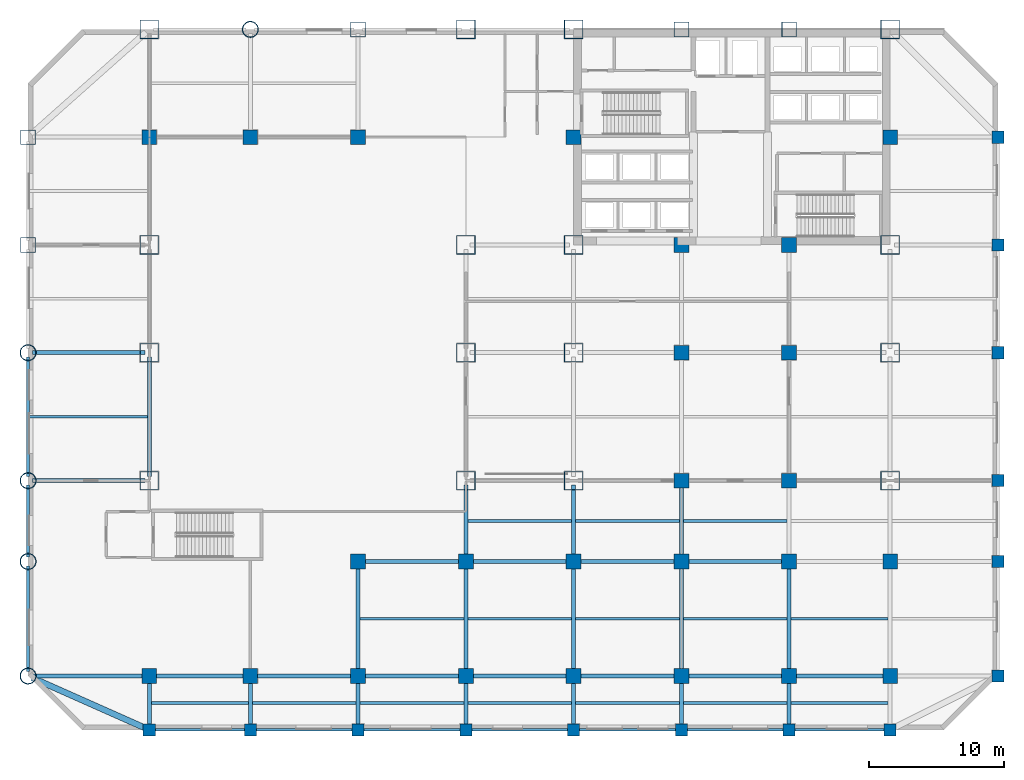
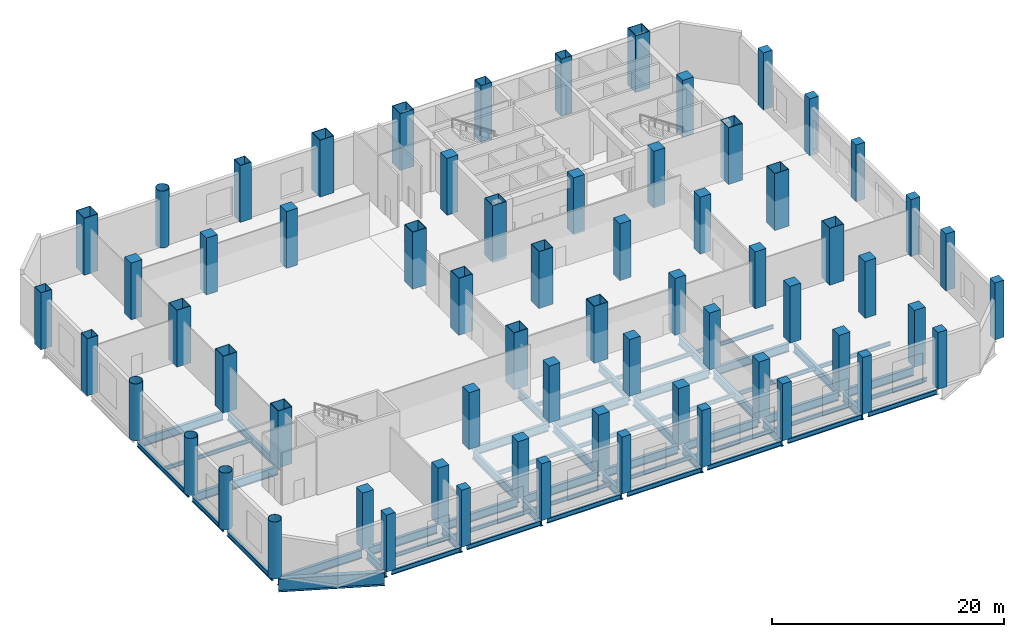
# One storey, part 1 of 11: 65 columns, 57 beams.
"""IFC4 building model written with IfcOpenShell, lengths in metres."""

import ifcopenshell
import ifcopenshell.guid

model = None  # the IFC model being written
_history = None  # IfcOwnerHistory: only IFC2X3 demands one
_inside = {}  # id of a spatial element -> (the spatial element, [elements in it])
_under = {}  # id of a project, library or spatial element -> (it, [spatial elements below it])
_declared = {}  # id of a project -> (the project, [libraries it declares])
_typed = {}  # id of a type object -> (the type object, [elements of that type])
_made_of = {}  # id of a material, layer set ... -> (it, [elements and type objects made of it])


def new_model(schema):
    """Start an empty IFC model of exactly this schema.

    Asked for "IFC4X3", IfcOpenShell would pick the latest addendum, in which some entities
    have other attributes; the version numbers below select the first issue.
    IFC2X3 requires an IfcOwnerHistory on every rooted entity: one is made here for all.
    """
    global model, _history
    if schema == "IFC4X3":
        model = ifcopenshell.file(schema_version=(4, 3, 0, 0))
    else:
        model = ifcopenshell.file(schema=schema)
    _inside.clear()
    _under.clear()
    _declared.clear()
    _typed.clear()
    _made_of.clear()
    _history = None
    if model.schema == "IFC2X3":
        org = make("IfcOrganization", Name="unknown")
        user = make(
            "IfcPersonAndOrganization",
            ThePerson=make("IfcPerson", FamilyName="unknown"),
            TheOrganization=org,
        )
        app = make(
            "IfcApplication",
            ApplicationDeveloper=org,
            Version="unknown",
            ApplicationFullName="unknown",
            ApplicationIdentifier="unknown",
        )
        _history = make(
            "IfcOwnerHistory",
            OwningUser=user,
            OwningApplication=app,
            ChangeAction="ADDED",
            CreationDate=0,
        )
    return model


def make(cls, **values):
    """One entity of the class cls with the attributes given. An attribute that is None is left unset."""
    return model.create_entity(
        cls, **{name: value for name, value in values.items() if value is not None}
    )


def rooted(cls, **values):
    """An entity with a GlobalId (a new one), such as an element, a storey or a relation."""
    return make(cls, GlobalId=ifcopenshell.guid.new(), OwnerHistory=_history, **values)


def si_unit(unit_type, name, prefix=None):
    """IfcSIUnit, for example si_unit("LENGTHUNIT", "METRE", prefix="MILLI")."""
    return make("IfcSIUnit", UnitType=unit_type, Prefix=prefix, Name=name)


def assignment(units):
    """IfcUnitAssignment: the units of a project."""
    return None if units is None else make("IfcUnitAssignment", Units=units)


def point(xyz):
    """IfcCartesianPoint."""
    return None if xyz is None else make("IfcCartesianPoint", Coordinates=xyz)


def direction(xyz):
    """IfcDirection."""
    return None if xyz is None else make("IfcDirection", DirectionRatios=xyz)


def frame(location, z_axis=None, x_axis=None):
    """IfcAxis2Placement3D, a coordinate frame: its origin and axes. An axis left out is left unset."""
    return make(
        "IfcAxis2Placement3D",
        Location=point(location),
        Axis=direction(z_axis),
        RefDirection=direction(x_axis),
    )


def frame_2d(location, x_axis=None):
    """IfcAxis2Placement2D, a coordinate frame in the plane: its origin and x axis."""
    return make(
        "IfcAxis2Placement2D", Location=point(location), RefDirection=direction(x_axis)
    )


def origin():
    """The frame at (0, 0, 0) with its axes left unset."""
    return frame((0.0, 0.0, 0.0))


def origin_2d():
    """The frame at (0, 0) in the plane with its x axis left unset."""
    return frame_2d((0.0, 0.0))


def place(relative_to, where):
    """IfcLocalPlacement: puts the frame where relative to a parent placement (None: the world)."""
    return make(
        "IfcLocalPlacement", PlacementRelTo=relative_to, RelativePlacement=where
    )


def context(
    kind, dimensions, precision=None, world=None, true_north=None, identifier=None
):
    """IfcGeometricRepresentationContext, for example the 3D "Model" context."""
    return make(
        "IfcGeometricRepresentationContext",
        ContextIdentifier=identifier,
        ContextType=kind,
        CoordinateSpaceDimension=dimensions,
        Precision=precision,
        WorldCoordinateSystem=world,
        TrueNorth=true_north,
    )


def subcontext(parent, identifier, kind, view, scale=None):
    """IfcGeometricRepresentationSubContext, for example "Body" below "Model"."""
    return make(
        "IfcGeometricRepresentationSubContext",
        ContextIdentifier=identifier,
        ContextType=kind,
        ParentContext=parent,
        TargetScale=scale,
        TargetView=view,
    )


def project(units=None, contexts=None):
    """IfcProject with its units and contexts."""
    return rooted(
        "IfcProject",
        Name="project",
        RepresentationContexts=contexts,
        UnitsInContext=assignment(units),
    )


def spatial(cls, under=None, at=None, **own):
    """A site, building, storey or space (cls), placed at a placement, below another one or the project."""
    s = rooted(cls, ObjectPlacement=at, **own)
    if under is not None:
        _under.setdefault(under.id(), (under, []))[1].append(s)
    return s


def profile(cls, at=None, kind="AREA", **sizes):
    """A parametric profile (cls). Its sizes go by their IFC names, for example OverallWidth=200.0."""
    return make(cls, ProfileType=kind, Position=at, **sizes)


def rectangle(**sizes):
    """IfcRectangleProfileDef."""
    return profile("IfcRectangleProfileDef", **sizes)


def hollow_rectangle(**sizes):
    """IfcRectangleHollowProfileDef."""
    return profile("IfcRectangleHollowProfileDef", **sizes)


def hollow_circle(**sizes):
    """IfcCircleHollowProfileDef."""
    return profile("IfcCircleHollowProfileDef", **sizes)


def i_section(**sizes):
    """IfcIShapeProfileDef."""
    return profile("IfcIShapeProfileDef", **sizes)


def extrude(swept, where, along, depth):
    """IfcExtrudedAreaSolid: the profile swept, set in the frame where, extruded along a direction by depth."""
    return make(
        "IfcExtrudedAreaSolid",
        SweptArea=swept,
        Position=where,
        ExtrudedDirection=direction(along),
        Depth=depth,
    )


def shape(context_of_items, identifier, shape_type, items):
    """IfcShapeRepresentation: the items that make up one representation, for example the "Body"."""
    return make(
        "IfcShapeRepresentation",
        ContextOfItems=context_of_items,
        RepresentationIdentifier=identifier,
        RepresentationType=shape_type,
        Items=items,
    )


def material(Name=None, Category=None):
    """IfcMaterial."""
    return make("IfcMaterial", Name=Name, Category=Category)


def material_profile(
    of_material, cross_section, Name=None, Category=None, Priority=None
):
    """IfcMaterialProfile: a cross section and its material."""
    return make(
        "IfcMaterialProfile",
        Name=Name,
        Material=of_material,
        Profile=cross_section,
        Priority=Priority,
        Category=Category,
    )


def profile_set(profiles, Name=None, composite=None):
    """IfcMaterialProfileSet."""
    return make(
        "IfcMaterialProfileSet",
        Name=Name,
        MaterialProfiles=profiles,
        CompositeProfile=composite,
    )


def made_of(thing, what):
    """Note that an element or type object is made of a material, layer set ...; save() writes the relation."""
    if what is not None:
        _made_of.setdefault(what.id(), (what, []))[1].append(thing)
    return thing


def type_object(cls, material=None, **own):
    """A type object (cls), such as IfcWallType, which elements share."""
    return made_of(rooted(cls, **own), material)


def element(
    cls,
    number,
    at=None,
    inside=None,
    cuts=None,
    type_object=None,
    material=None,
    context=None,
    identifier="Body",
    shape_type=None,
    held_by="IfcProductDefinitionShape",
    body=None,
    shapes=None,
    **own,
):
    """One element of the class cls, such as IfcWall. Its Tag is "e" and its number.

    at: its placement. inside: the storey or other place that contains it. cuts: it is an
    opening in that element (IfcRelVoidsElement). A single representation is given by context,
    identifier, shape_type and body (its items); several are given by shapes. held_by: the class
    of the entity that holds the representations. save() writes the other relations.
    """
    e = rooted(cls, Tag="e%d" % number, ObjectPlacement=at, **own)
    if body is not None:
        shapes = [shape(context, identifier, shape_type, body)]
    if shapes is not None:
        e.Representation = make(held_by, Representations=shapes)
    if inside is not None:
        _inside.setdefault(inside.id(), (inside, []))[1].append(e)
    if cuts is not None:
        rooted(
            "IfcRelVoidsElement", RelatingBuildingElement=cuts, RelatedOpeningElement=e
        )
    if type_object is not None:
        _typed.setdefault(type_object.id(), (type_object, []))[1].append(e)
    return made_of(e, material)


def aggregate(whole, parts):
    """IfcRelAggregates: a whole, such as a stair, and the parts it consists of."""
    return rooted("IfcRelAggregates", RelatingObject=whole, RelatedObjects=parts)


def save(model, path):
    """Write the relations noted so far, then the file.

    IfcRelAggregates (storeys below a building ...), IfcRelContainedInSpatialStructure (elements
    in a storey), IfcRelDefinesByType, IfcRelAssociatesMaterial and IfcRelDeclares: one each for
    every whole, place, type object, material and project.
    """
    for whole, parts in _under.values():
        aggregate(whole, parts)
    for where, things in _inside.values():
        rooted(
            "IfcRelContainedInSpatialStructure",
            RelatedElements=things,
            RelatingStructure=where,
        )
    for kind, things in _typed.values():
        rooted("IfcRelDefinesByType", RelatedObjects=things, RelatingType=kind)
    for what, things in _made_of.values():
        rooted("IfcRelAssociatesMaterial", RelatedObjects=things, RelatingMaterial=what)
    for by, libraries in _declared.values():
        rooted("IfcRelDeclares", RelatingContext=by, RelatedDefinitions=libraries)
    model.write(path)


model = new_model("IFC4")

# Units and contexts
model_context = context("Model", 3, precision=1e-05, world=origin(), true_north=direction((0.0, 1.0)))
body_context = subcontext(model_context, "Body", "Model", "MODEL_VIEW")
ifc_project = project(units=[si_unit("LENGTHUNIT", "METRE"), si_unit("AREAUNIT", "SQUARE_METRE"), si_unit("VOLUMEUNIT", "CUBIC_METRE"), si_unit("PLANEANGLEUNIT", "RADIAN"), si_unit("MASSUNIT", "GRAM", prefix="KILO")], contexts=[model_context])

# Site, building, storey
site_placement = place(None, origin())
site = spatial("IfcSite", under=ifc_project, at=site_placement, CompositionType="ELEMENT")
building_placement = place(site_placement, origin())
building = spatial("IfcBuilding", under=site, at=building_placement, Name="Qianrong Seaharbour Tower", CompositionType="ELEMENT")
storey_placement = place(building_placement, frame((0.0, 0.0, 11.39990234375)))
storey = spatial("IfcBuildingStorey", under=building, at=storey_placement, Name="L03", CompositionType="ELEMENT", Elevation=11.39990234375)

# Columns
ifc_material_1 = material(Name="Structural steel SN490B", Category="steel")
ifc_material_profile_1 = material_profile(ifc_material_1, hollow_rectangle(XDim=1.39990234375, YDim=1.39990234375, WallThickness=0.050048828125, at=origin_2d()), Name="BOX1400x1400x50")
ifc_profile_set_1 = profile_set([ifc_material_profile_1], Name="Structural steel SN490B")
column_type_1 = type_object("IfcColumnType", Name="COL-CFT-1400", PredefinedType="COLUMN", material=ifc_profile_set_1)
for number, where, z_axis, x_axis, name in (
    (1, (9.0, 18.5, 0.0), (0.0, 0.0, 1.0), (1.0, 0.0, 0.0), "L03 Column MC-1 at G2/GD"),
    (2, (9.0, 28.0, 0.0), (0.0, 0.0, 1.0), (1.0, 0.0, 0.0), "L03 Column MC-1 at G2/GE"),
    (3, (9.0, 36.0, 0.0), (0.0, 0.0, 1.0), (1.0, 0.0, 0.0), "L03 Column MC-1 at G2/GF"),
    (4, (9.0, 52.0, 0.0), (0.0, 0.0, 1.0), (1.0, 0.0, 0.0), "L03 Column MC-1 at G2/GH"),
    (5, (32.5, 18.5, 0.0), (0.0, 0.0, 1.0), (1.0, 0.0, 0.0), "L03 Column MC-1 at G5/GD"),
    (6, (32.5, 28.0, 0.0), (0.0, 0.0, 1.0), (1.0, 0.0, 0.0), "L03 Column MC-1 at G5/GE"),
    (7, (32.5, 36.0, 0.0), (0.0, 0.0, 1.0), (1.0, 0.0, 0.0), "L03 Column MC-1 at G5/GF"),
    (8, (32.5, 52.0, 0.0), (0.0, 0.0, 1.0), (1.0, 0.0, 0.0), "L03 Column MC-1 at G5/GH"),
    (9, (40.5, 18.5, 0.0), (0.0, 0.0, 1.0), (1.0, 0.0, 0.0), "L03 Column MC-1 at G6/GD"),
    (10, (40.5, 28.0, 0.0), (0.0, 0.0, 1.0), (1.0, 0.0, 0.0), "L03 Column MC-1 at G6/GE"),
    (11, (40.5, 36.0, 0.0), (0.0, 0.0, 1.0), (1.0, 0.0, 0.0), "L03 Column MC-1 at G6/GF"),
    (12, (40.5, 52.0, 0.0), (0.0, 0.0, 1.0), (1.0, 0.0, 0.0), "L03 Column MC-1 at G6/GH"),
    (13, (64.0, 18.5, 0.0), (0.0, 0.0, 1.0), (1.0, 0.0, 0.0), "L03 Column MC-1 at G9/GD"),
    (14, (64.0, 28.0, 0.0), (0.0, 0.0, 1.0), (1.0, 0.0, 0.0), "L03 Column MC-1 at G9/GE"),
    (15, (64.0, 36.0, 0.0), (0.0, 0.0, 1.0), (1.0, 0.0, 0.0), "L03 Column MC-1 at G9/GF"),
    (16, (64.0, 52.0, 0.0), (0.0, 0.0, 1.0), (1.0, 0.0, 0.0), "L03 Column MC-1 at G9/GH"),
):
    element("IfcColumn", number, at=place(storey_placement, frame(where, z_axis=z_axis, x_axis=x_axis)), inside=storey, type_object=column_type_1, Name=name, PredefinedType="COLUMN", context=body_context, shape_type="SweptSolid", body=[
        extrude(hollow_rectangle(XDim=1.39990234375, YDim=1.39990234375, WallThickness=0.050048828125, at=origin_2d()), origin(), (0.0, 0.0, 1.0), 6.0),
    ])
ifc_material_profile_2 = material_profile(ifc_material_1, hollow_circle(Radius=0.60009765625, WallThickness=0.0400390625, at=origin_2d()), Name="CHS1200x40")
ifc_profile_set_2 = profile_set([ifc_material_profile_2], Name="Structural steel SN490B")
column_type_2 = type_object("IfcColumnType", Name="COL-CHS-1200", PredefinedType="COLUMN", material=ifc_profile_set_2)
for number, where, z_axis, x_axis, name in (
    (17, (0.0, 4.0, 0.0), (0.0, 0.0, 1.0), (1.0, 0.0, 0.0), "L03 Column CC-1 at G1/GB"),
    (18, (0.0, 12.5, 0.0), (0.0, 0.0, 1.0), (1.0, 0.0, 0.0), "L03 Column CC-1 at G1/GC"),
    (19, (0.0, 18.5, 0.0), (0.0, 0.0, 1.0), (1.0, 0.0, 0.0), "L03 Column CC-1 at G1/GD"),
    (20, (0.0, 28.0, 0.0), (0.0, 0.0, 1.0), (1.0, 0.0, 0.0), "L03 Column CC-1 at G1/GE"),
    (21, (16.5, 52.0, 0.0), (0.0, 0.0, 1.0), (1.0, 0.0, 0.0), "L03 Column CC-1 at G3/GH"),
):
    element("IfcColumn", number, at=place(storey_placement, frame(where, z_axis=z_axis, x_axis=x_axis)), inside=storey, type_object=column_type_2, Name=name, PredefinedType="COLUMN", context=body_context, shape_type="SweptSolid", body=[
        extrude(hollow_circle(Radius=0.60009765625, WallThickness=0.0400390625, at=origin_2d()), origin(), (0.0, 0.0, 1.0), 6.0),
    ])
ifc_material_2 = material(Name="Concrete C70/85", Category="concrete")
ifc_material_profile_3 = material_profile(ifc_material_2, rectangle(XDim=1.10009765625, YDim=1.10009765625, at=origin_2d()), Name="RC1100x1100")
ifc_profile_set_3 = profile_set([ifc_material_profile_3], Name="Concrete C70/85")
column_type_3 = type_object("IfcColumnType", Name="COL-INT-RC1100", PredefinedType="COLUMN", material=ifc_profile_set_3)
for number, where, z_axis, x_axis, name in (
    (22, (9.0, 4.0, 0.0), (0.0, 0.0, 1.0), (1.0, 0.0, 0.0), "L03 Column IC-1 at G2/GB"),
    (23, (9.0, 44.0, 0.0), (0.0, 0.0, 1.0), (1.0, 0.0, 0.0), "L03 Column IC-1 at G2/GG"),
    (24, (16.5, 4.0, 0.0), (0.0, 0.0, 1.0), (1.0, 0.0, 0.0), "L03 Column IC-1 at G3/GB"),
    (25, (16.5, 44.0, 0.0), (0.0, 0.0, 1.0), (1.0, 0.0, 0.0), "L03 Column IC-1 at G3/GG"),
    (26, (24.5, 4.0, 0.0), (0.0, 0.0, 1.0), (1.0, 0.0, 0.0), "L03 Column IC-1 at G4/GB"),
    (27, (24.5, 12.5, 0.0), (0.0, 0.0, 1.0), (1.0, 0.0, 0.0), "L03 Column IC-1 at G4/GC"),
    (28, (24.5, 44.0, 0.0), (0.0, 0.0, 1.0), (1.0, 0.0, 0.0), "L03 Column IC-1 at G4/GG"),
    (29, (32.5, 4.0, 0.0), (0.0, 0.0, 1.0), (1.0, 0.0, 0.0), "L03 Column IC-1 at G5/GB"),
    (30, (32.5, 12.5, 0.0), (0.0, 0.0, 1.0), (1.0, 0.0, 0.0), "L03 Column IC-1 at G5/GC"),
    (31, (40.5, 4.0, 0.0), (0.0, 0.0, 1.0), (1.0, 0.0, 0.0), "L03 Column IC-1 at G6/GB"),
    (32, (40.5, 12.5, 0.0), (0.0, 0.0, 1.0), (1.0, 0.0, 0.0), "L03 Column IC-1 at G6/GC"),
    (33, (40.5, 44.0, 0.0), (0.0, 0.0, 1.0), (1.0, 0.0, 0.0), "L03 Column IC-1 at G6/GG"),
    (34, (48.5, 4.0, 0.0), (0.0, 0.0, 1.0), (1.0, 0.0, 0.0), "L03 Column IC-1 at G7/GB"),
    (35, (48.5, 12.5, 0.0), (0.0, 0.0, 1.0), (1.0, 0.0, 0.0), "L03 Column IC-1 at G7/GC"),
    (36, (48.5, 18.5, 0.0), (0.0, 0.0, 1.0), (1.0, 0.0, 0.0), "L03 Column IC-1 at G7/GD"),
    (37, (48.5, 28.0, 0.0), (0.0, 0.0, 1.0), (1.0, 0.0, 0.0), "L03 Column IC-1 at G7/GE"),
    (38, (48.5, 36.0, 0.0), (0.0, 0.0, 1.0), (1.0, 0.0, 0.0), "L03 Column IC-1 at G7/GF"),
    (39, (56.5, 4.0, 0.0), (0.0, 0.0, 1.0), (1.0, 0.0, 0.0), "L03 Column IC-1 at G8/GB"),
    (40, (56.5, 12.5, 0.0), (0.0, 0.0, 1.0), (1.0, 0.0, 0.0), "L03 Column IC-1 at G8/GC"),
    (41, (56.5, 18.5, 0.0), (0.0, 0.0, 1.0), (1.0, 0.0, 0.0), "L03 Column IC-1 at G8/GD"),
    (42, (56.5, 28.0, 0.0), (0.0, 0.0, 1.0), (1.0, 0.0, 0.0), "L03 Column IC-1 at G8/GE"),
    (43, (56.5, 36.0, 0.0), (0.0, 0.0, 1.0), (1.0, 0.0, 0.0), "L03 Column IC-1 at G8/GF"),
    (44, (64.0, 4.0, 0.0), (0.0, 0.0, 1.0), (1.0, 0.0, 0.0), "L03 Column IC-1 at G9/GB"),
    (45, (64.0, 12.5, 0.0), (0.0, 0.0, 1.0), (1.0, 0.0, 0.0), "L03 Column IC-1 at G9/GC"),
    (46, (64.0, 44.0, 0.0), (0.0, 0.0, 1.0), (1.0, 0.0, 0.0), "L03 Column IC-1 at G9/GG"),
):
    element("IfcColumn", number, at=place(storey_placement, frame(where, z_axis=z_axis, x_axis=x_axis)), inside=storey, type_object=column_type_3, Name=name, PredefinedType="COLUMN", context=body_context, shape_type="SweptSolid", body=[
        extrude(rectangle(XDim=1.10009765625, YDim=1.10009765625, at=origin_2d()), origin(), (0.0, 0.0, 1.0), 6.0),
    ])
ifc_material_profile_4 = material_profile(ifc_material_1, hollow_rectangle(XDim=1.10009765625, YDim=1.10009765625, WallThickness=0.0400390625, at=origin_2d()), Name="BOX1100x1100x40")
ifc_profile_set_4 = profile_set([ifc_material_profile_4], Name="Structural steel SN490B")
column_type_4 = type_object("IfcColumnType", Name="COL-PER-1100", PredefinedType="COLUMN", material=ifc_profile_set_4)
for number, where, z_axis, x_axis, name in (
    (47, (0.0, 36.0, 0.0), (0.0, 0.0, 1.0), (1.0, 0.0, 0.0), "L03 Column PC-1 at G1/GF"),
    (48, (0.0, 44.0, 0.0), (0.0, 0.0, 1.0), (1.0, 0.0, 0.0), "L03 Column PC-1 at G1/GG"),
    (49, (24.5, 52.0, 0.0), (0.0, 0.0, 1.0), (1.0, 0.0, 0.0), "L03 Column PC-1 at G4/GH"),
    (50, (48.5, 52.0, 0.0), (0.0, 0.0, 1.0), (1.0, 0.0, 0.0), "L03 Column PC-1 at G7/GH"),
    (51, (56.5, 52.0, 0.0), (0.0, 0.0, 1.0), (1.0, 0.0, 0.0), "L03 Column PC-1 at G8/GH"),
):
    element("IfcColumn", number, at=place(storey_placement, frame(where, z_axis=z_axis, x_axis=x_axis)), inside=storey, type_object=column_type_4, Name=name, PredefinedType="COLUMN", context=body_context, shape_type="SweptSolid", body=[
        extrude(hollow_rectangle(XDim=1.10009765625, YDim=1.10009765625, WallThickness=0.0400390625, at=origin_2d()), origin(), (0.0, 0.0, 1.0), 6.0),
    ])
ifc_material_3 = material(Name="Concrete C60/75", Category="concrete")
ifc_material_profile_5 = material_profile(ifc_material_3, rectangle(XDim=0.89990234375, YDim=0.89990234375, at=origin_2d()), Name="RC900x900")
ifc_profile_set_5 = profile_set([ifc_material_profile_5], Name="Concrete C60/75")
column_type_5 = type_object("IfcColumnType", Name="COL-PIL-RC900", PredefinedType="PILASTER", material=ifc_profile_set_5)
for number, where, z_axis, x_axis, name in (
    (52, (9.0, 0.0, 0.0), (0.0, 0.0, 1.0), (1.0, 0.0, 0.0), "L03 Column CP-1 at G2/GA"),
    (53, (16.5, 0.0, 0.0), (0.0, 0.0, 1.0), (1.0, 0.0, 0.0), "L03 Column CP-1 at G3/GA"),
    (54, (24.5, 0.0, 0.0), (0.0, 0.0, 1.0), (1.0, 0.0, 0.0), "L03 Column CP-1 at G4/GA"),
    (55, (32.5, 0.0, 0.0), (0.0, 0.0, 1.0), (1.0, 0.0, 0.0), "L03 Column CP-1 at G5/GA"),
    (56, (40.5, 0.0, 0.0), (0.0, 0.0, 1.0), (1.0, 0.0, 0.0), "L03 Column CP-1 at G6/GA"),
    (57, (48.5, 0.0, 0.0), (0.0, 0.0, 1.0), (1.0, 0.0, 0.0), "L03 Column CP-1 at G7/GA"),
    (58, (56.5, 0.0, 0.0), (0.0, 0.0, 1.0), (1.0, 0.0, 0.0), "L03 Column CP-1 at G8/GA"),
    (59, (64.0, 0.0, 0.0), (0.0, 0.0, 1.0), (1.0, 0.0, 0.0), "L03 Column CP-1 at G9/GA"),
    (60, (72.0, 4.0, 0.0), (0.0, 0.0, 1.0), (1.0, 0.0, 0.0), "L03 Column CP-1 at G10/GB"),
    (61, (72.0, 12.5, 0.0), (0.0, 0.0, 1.0), (1.0, 0.0, 0.0), "L03 Column CP-1 at G10/GC"),
    (62, (72.0, 18.5, 0.0), (0.0, 0.0, 1.0), (1.0, 0.0, 0.0), "L03 Column CP-1 at G10/GD"),
    (63, (72.0, 28.0, 0.0), (0.0, 0.0, 1.0), (1.0, 0.0, 0.0), "L03 Column CP-1 at G10/GE"),
    (64, (72.0, 36.0, 0.0), (0.0, 0.0, 1.0), (1.0, 0.0, 0.0), "L03 Column CP-1 at G10/GF"),
    (65, (72.0, 44.0, 0.0), (0.0, 0.0, 1.0), (1.0, 0.0, 0.0), "L03 Column CP-1 at G10/GG"),
):
    element("IfcColumn", number, at=place(storey_placement, frame(where, z_axis=z_axis, x_axis=x_axis)), inside=storey, type_object=column_type_5, Name=name, PredefinedType="PILASTER", context=body_context, shape_type="SweptSolid", body=[
        extrude(rectangle(XDim=0.89990234375, YDim=0.89990234375, at=origin_2d()), origin(), (0.0, 0.0, 1.0), 6.0),
    ])

# Beams
ifc_material_profile_6 = material_profile(ifc_material_1, i_section(OverallWidth=0.300048828125, OverallDepth=0.800048828125, WebThickness=0.013916015625, FlangeThickness=0.02587890625, FilletRadius=0.028076171875, at=origin_2d()), Name="H800x300x14x26")
ifc_profile_set_6 = profile_set([ifc_material_profile_6], Name="Structural steel SN490B")
beam_type_1 = type_object("IfcBeamType", Name="BM-G-800", PredefinedType="BEAM", material=ifc_profile_set_6)
beam_1_placement = place(storey_placement, frame((9.0, 18.820068359375, -0.679931640625), z_axis=(0.0, 1.0, 0.0), x_axis=(-1.0, 0.0, 0.0)))
element("IfcBeam", 66, at=beam_1_placement, inside=storey, type_object=beam_type_1, Name="L03 Primary Girder G2 GD-GE", PredefinedType="BEAM", context=body_context, shape_type="SweptSolid", body=[
    extrude(i_section(OverallWidth=0.300048828125, OverallDepth=0.800048828125, WebThickness=0.013916015625, FlangeThickness=0.02587890625, FilletRadius=0.028076171875, at=origin_2d()), origin(), (0.0, 0.0, 1.0), 8.85986328125),
])
ifc_material_profile_7 = material_profile(ifc_material_1, i_section(OverallWidth=0.300048828125, OverallDepth=0.89990234375, WebThickness=0.01611328125, FlangeThickness=0.028076171875, FilletRadius=0.028076171875, at=origin_2d()), Name="H900x300x16x28")
ifc_profile_set_7 = profile_set([ifc_material_profile_7], Name="Structural steel SN490B")
beam_type_2 = type_object("IfcBeamType", Name="BM-G-900", PredefinedType="BEAM", material=ifc_profile_set_7)
beam_2_placement = place(storey_placement, frame((0.320068359375, 4.0, -0.72998046875), z_axis=(1.0, 0.0, 0.0), x_axis=(0.0, 1.0, 0.0)))
element("IfcBeam", 67, at=beam_2_placement, inside=storey, type_object=beam_type_2, Name="L03 Primary Girder GB G1-G2", PredefinedType="BEAM", context=body_context, shape_type="SweptSolid", body=[
    extrude(i_section(OverallWidth=0.300048828125, OverallDepth=0.89990234375, WebThickness=0.01611328125, FlangeThickness=0.028076171875, FilletRadius=0.028076171875, at=origin_2d()), origin(), (0.0, 0.0, 1.0), 8.35986328125),
])
beam_3_placement = place(storey_placement, frame((9.320068359375, 4.0, -0.72998046875), z_axis=(1.0, 0.0, 0.0), x_axis=(0.0, 1.0, 0.0)))
element("IfcBeam", 68, at=beam_3_placement, inside=storey, type_object=beam_type_2, Name="L03 Primary Girder GB G2-G3", PredefinedType="BEAM", context=body_context, shape_type="SweptSolid", body=[
    extrude(i_section(OverallWidth=0.300048828125, OverallDepth=0.89990234375, WebThickness=0.01611328125, FlangeThickness=0.028076171875, FilletRadius=0.028076171875, at=origin_2d()), origin(), (0.0, 0.0, 1.0), 6.85986328125),
])
for number, where, z_axis, x_axis, name in (
    (69, (16.820068359375, 4.0, -0.72998046875), (1.0, 0.0, 0.0), (0.0, 1.0, 0.0), "L03 Primary Girder GB G3-G4"),
    (70, (24.820068359375, 4.0, -0.72998046875), (1.0, 0.0, 0.0), (0.0, 1.0, 0.0), "L03 Primary Girder GB G4-G5"),
    (71, (32.820068359375, 4.0, -0.72998046875), (1.0, 0.0, 0.0), (0.0, 1.0, 0.0), "L03 Primary Girder GB G5-G6"),
    (72, (40.820068359375, 4.0, -0.72998046875), (1.0, 0.0, 0.0), (0.0, 1.0, 0.0), "L03 Primary Girder GB G6-G7"),
    (73, (48.820068359375, 4.0, -0.72998046875), (1.0, 0.0, 0.0), (0.0, 1.0, 0.0), "L03 Primary Girder GB G7-G8"),
):
    element("IfcBeam", number, at=place(storey_placement, frame(where, z_axis=z_axis, x_axis=x_axis)), inside=storey, type_object=beam_type_2, Name=name, PredefinedType="BEAM", context=body_context, shape_type="SweptSolid", body=[
        extrude(i_section(OverallWidth=0.300048828125, OverallDepth=0.89990234375, WebThickness=0.01611328125, FlangeThickness=0.028076171875, FilletRadius=0.028076171875, at=origin_2d()), origin(), (0.0, 0.0, 1.0), 7.35986328125),
    ])
beam_4_placement = place(storey_placement, frame((56.820068359375, 4.0, -0.72998046875), z_axis=(1.0, 0.0, 0.0), x_axis=(0.0, 1.0, 0.0)))
element("IfcBeam", 74, at=beam_4_placement, inside=storey, type_object=beam_type_2, Name="L03 Primary Girder GB G8-G9", PredefinedType="BEAM", context=body_context, shape_type="SweptSolid", body=[
    extrude(i_section(OverallWidth=0.300048828125, OverallDepth=0.89990234375, WebThickness=0.01611328125, FlangeThickness=0.028076171875, FilletRadius=0.028076171875, at=origin_2d()), origin(), (0.0, 0.0, 1.0), 6.85986328125),
])
for number, where, z_axis, x_axis, name in (
    (75, (24.820068359375, 12.5, -0.72998046875), (1.0, 0.0, 0.0), (0.0, 1.0, 0.0), "L03 Primary Girder GC G4-G5"),
    (76, (32.820068359375, 12.5, -0.72998046875), (1.0, 0.0, 0.0), (0.0, 1.0, 0.0), "L03 Primary Girder GC G5-G6"),
    (77, (40.820068359375, 12.5, -0.72998046875), (1.0, 0.0, 0.0), (0.0, 1.0, 0.0), "L03 Primary Girder GC G6-G7"),
    (78, (48.820068359375, 12.5, -0.72998046875), (1.0, 0.0, 0.0), (0.0, 1.0, 0.0), "L03 Primary Girder GC G7-G8"),
):
    element("IfcBeam", number, at=place(storey_placement, frame(where, z_axis=z_axis, x_axis=x_axis)), inside=storey, type_object=beam_type_2, Name=name, PredefinedType="BEAM", context=body_context, shape_type="SweptSolid", body=[
        extrude(i_section(OverallWidth=0.300048828125, OverallDepth=0.89990234375, WebThickness=0.01611328125, FlangeThickness=0.028076171875, FilletRadius=0.028076171875, at=origin_2d()), origin(), (0.0, 0.0, 1.0), 7.35986328125),
    ])
for number, where, z_axis, x_axis, name in (
    (79, (0.320068359375, 18.5, -0.72998046875), (1.0, 0.0, 0.0), (0.0, 1.0, 0.0), "L03 Primary Girder GD G1-G2"),
    (80, (0.320068359375, 28.0, -0.72998046875), (1.0, 0.0, 0.0), (0.0, 1.0, 0.0), "L03 Primary Girder GE G1-G2"),
):
    element("IfcBeam", number, at=place(storey_placement, frame(where, z_axis=z_axis, x_axis=x_axis)), inside=storey, type_object=beam_type_2, Name=name, PredefinedType="BEAM", context=body_context, shape_type="SweptSolid", body=[
        extrude(i_section(OverallWidth=0.300048828125, OverallDepth=0.89990234375, WebThickness=0.01611328125, FlangeThickness=0.028076171875, FilletRadius=0.028076171875, at=origin_2d()), origin(), (0.0, 0.0, 1.0), 8.35986328125),
    ])
for number, where, z_axis, x_axis, name in (
    (81, (9.0, 0.320068359375, -0.72998046875), (0.0, 1.0, 0.0), (-1.0, 0.0, 0.0), "L03 Primary Girder G2 GA-GB"),
    (82, (16.5, 0.320068359375, -0.72998046875), (0.0, 1.0, 0.0), (-1.0, 0.0, 0.0), "L03 Primary Girder G3 GA-GB"),
    (83, (24.5, 0.320068359375, -0.72998046875), (0.0, 1.0, 0.0), (-1.0, 0.0, 0.0), "L03 Primary Girder G4 GA-GB"),
):
    element("IfcBeam", number, at=place(storey_placement, frame(where, z_axis=z_axis, x_axis=x_axis)), inside=storey, type_object=beam_type_2, Name=name, PredefinedType="BEAM", context=body_context, shape_type="SweptSolid", body=[
        extrude(i_section(OverallWidth=0.300048828125, OverallDepth=0.89990234375, WebThickness=0.01611328125, FlangeThickness=0.028076171875, FilletRadius=0.028076171875, at=origin_2d()), origin(), (0.0, 0.0, 1.0), 3.35986328125),
    ])
beam_5_placement = place(storey_placement, frame((24.5, 4.320068359375, -0.72998046875), z_axis=(0.0, 1.0, 0.0), x_axis=(-1.0, 0.0, 0.0)))
element("IfcBeam", 84, at=beam_5_placement, inside=storey, type_object=beam_type_2, Name="L03 Primary Girder G4 GB-GC", PredefinedType="BEAM", context=body_context, shape_type="SweptSolid", body=[
    extrude(i_section(OverallWidth=0.300048828125, OverallDepth=0.89990234375, WebThickness=0.01611328125, FlangeThickness=0.028076171875, FilletRadius=0.028076171875, at=origin_2d()), origin(), (0.0, 0.0, 1.0), 7.85986328125),
])
beam_6_placement = place(storey_placement, frame((32.5, 0.320068359375, -0.72998046875), z_axis=(0.0, 1.0, 0.0), x_axis=(-1.0, 0.0, 0.0)))
element("IfcBeam", 85, at=beam_6_placement, inside=storey, type_object=beam_type_2, Name="L03 Primary Girder G5 GA-GB", PredefinedType="BEAM", context=body_context, shape_type="SweptSolid", body=[
    extrude(i_section(OverallWidth=0.300048828125, OverallDepth=0.89990234375, WebThickness=0.01611328125, FlangeThickness=0.028076171875, FilletRadius=0.028076171875, at=origin_2d()), origin(), (0.0, 0.0, 1.0), 3.35986328125),
])
beam_7_placement = place(storey_placement, frame((32.5, 4.320068359375, -0.72998046875), z_axis=(0.0, 1.0, 0.0), x_axis=(-1.0, 0.0, 0.0)))
element("IfcBeam", 86, at=beam_7_placement, inside=storey, type_object=beam_type_2, Name="L03 Primary Girder G5 GB-GC", PredefinedType="BEAM", context=body_context, shape_type="SweptSolid", body=[
    extrude(i_section(OverallWidth=0.300048828125, OverallDepth=0.89990234375, WebThickness=0.01611328125, FlangeThickness=0.028076171875, FilletRadius=0.028076171875, at=origin_2d()), origin(), (0.0, 0.0, 1.0), 7.85986328125),
])
beam_8_placement = place(storey_placement, frame((32.5, 12.820068359375, -0.72998046875), z_axis=(0.0, 1.0, 0.0), x_axis=(-1.0, 0.0, 0.0)))
element("IfcBeam", 87, at=beam_8_placement, inside=storey, type_object=beam_type_2, Name="L03 Primary Girder G5 GC-GD", PredefinedType="BEAM", context=body_context, shape_type="SweptSolid", body=[
    extrude(i_section(OverallWidth=0.300048828125, OverallDepth=0.89990234375, WebThickness=0.01611328125, FlangeThickness=0.028076171875, FilletRadius=0.028076171875, at=origin_2d()), origin(), (0.0, 0.0, 1.0), 5.35986328125),
])
beam_9_placement = place(storey_placement, frame((40.5, 0.320068359375, -0.72998046875), z_axis=(0.0, 1.0, 0.0), x_axis=(-1.0, 0.0, 0.0)))
element("IfcBeam", 88, at=beam_9_placement, inside=storey, type_object=beam_type_2, Name="L03 Primary Girder G6 GA-GB", PredefinedType="BEAM", context=body_context, shape_type="SweptSolid", body=[
    extrude(i_section(OverallWidth=0.300048828125, OverallDepth=0.89990234375, WebThickness=0.01611328125, FlangeThickness=0.028076171875, FilletRadius=0.028076171875, at=origin_2d()), origin(), (0.0, 0.0, 1.0), 3.35986328125),
])
beam_10_placement = place(storey_placement, frame((40.5, 4.320068359375, -0.72998046875), z_axis=(0.0, 1.0, 0.0), x_axis=(-1.0, 0.0, 0.0)))
element("IfcBeam", 89, at=beam_10_placement, inside=storey, type_object=beam_type_2, Name="L03 Primary Girder G6 GB-GC", PredefinedType="BEAM", context=body_context, shape_type="SweptSolid", body=[
    extrude(i_section(OverallWidth=0.300048828125, OverallDepth=0.89990234375, WebThickness=0.01611328125, FlangeThickness=0.028076171875, FilletRadius=0.028076171875, at=origin_2d()), origin(), (0.0, 0.0, 1.0), 7.85986328125),
])
beam_11_placement = place(storey_placement, frame((40.5, 12.820068359375, -0.72998046875), z_axis=(0.0, 1.0, 0.0), x_axis=(-1.0, 0.0, 0.0)))
element("IfcBeam", 90, at=beam_11_placement, inside=storey, type_object=beam_type_2, Name="L03 Primary Girder G6 GC-GD", PredefinedType="BEAM", context=body_context, shape_type="SweptSolid", body=[
    extrude(i_section(OverallWidth=0.300048828125, OverallDepth=0.89990234375, WebThickness=0.01611328125, FlangeThickness=0.028076171875, FilletRadius=0.028076171875, at=origin_2d()), origin(), (0.0, 0.0, 1.0), 5.35986328125),
])
beam_12_placement = place(storey_placement, frame((48.5, 0.320068359375, -0.72998046875), z_axis=(0.0, 1.0, 0.0), x_axis=(-1.0, 0.0, 0.0)))
element("IfcBeam", 91, at=beam_12_placement, inside=storey, type_object=beam_type_2, Name="L03 Primary Girder G7 GA-GB", PredefinedType="BEAM", context=body_context, shape_type="SweptSolid", body=[
    extrude(i_section(OverallWidth=0.300048828125, OverallDepth=0.89990234375, WebThickness=0.01611328125, FlangeThickness=0.028076171875, FilletRadius=0.028076171875, at=origin_2d()), origin(), (0.0, 0.0, 1.0), 3.35986328125),
])
beam_13_placement = place(storey_placement, frame((48.5, 4.320068359375, -0.72998046875), z_axis=(0.0, 1.0, 0.0), x_axis=(-1.0, 0.0, 0.0)))
element("IfcBeam", 92, at=beam_13_placement, inside=storey, type_object=beam_type_2, Name="L03 Primary Girder G7 GB-GC", PredefinedType="BEAM", context=body_context, shape_type="SweptSolid", body=[
    extrude(i_section(OverallWidth=0.300048828125, OverallDepth=0.89990234375, WebThickness=0.01611328125, FlangeThickness=0.028076171875, FilletRadius=0.028076171875, at=origin_2d()), origin(), (0.0, 0.0, 1.0), 7.85986328125),
])
beam_14_placement = place(storey_placement, frame((48.5, 12.820068359375, -0.72998046875), z_axis=(0.0, 1.0, 0.0), x_axis=(-1.0, 0.0, 0.0)))
element("IfcBeam", 93, at=beam_14_placement, inside=storey, type_object=beam_type_2, Name="L03 Primary Girder G7 GC-GD", PredefinedType="BEAM", context=body_context, shape_type="SweptSolid", body=[
    extrude(i_section(OverallWidth=0.300048828125, OverallDepth=0.89990234375, WebThickness=0.01611328125, FlangeThickness=0.028076171875, FilletRadius=0.028076171875, at=origin_2d()), origin(), (0.0, 0.0, 1.0), 5.35986328125),
])
beam_15_placement = place(storey_placement, frame((56.5, 0.320068359375, -0.72998046875), z_axis=(0.0, 1.0, 0.0), x_axis=(-1.0, 0.0, 0.0)))
element("IfcBeam", 94, at=beam_15_placement, inside=storey, type_object=beam_type_2, Name="L03 Primary Girder G8 GA-GB", PredefinedType="BEAM", context=body_context, shape_type="SweptSolid", body=[
    extrude(i_section(OverallWidth=0.300048828125, OverallDepth=0.89990234375, WebThickness=0.01611328125, FlangeThickness=0.028076171875, FilletRadius=0.028076171875, at=origin_2d()), origin(), (0.0, 0.0, 1.0), 3.35986328125),
])
beam_16_placement = place(storey_placement, frame((56.5, 4.320068359375, -0.72998046875), z_axis=(0.0, 1.0, 0.0), x_axis=(-1.0, 0.0, 0.0)))
element("IfcBeam", 95, at=beam_16_placement, inside=storey, type_object=beam_type_2, Name="L03 Primary Girder G8 GB-GC", PredefinedType="BEAM", context=body_context, shape_type="SweptSolid", body=[
    extrude(i_section(OverallWidth=0.300048828125, OverallDepth=0.89990234375, WebThickness=0.01611328125, FlangeThickness=0.028076171875, FilletRadius=0.028076171875, at=origin_2d()), origin(), (0.0, 0.0, 1.0), 7.85986328125),
])
ifc_material_4 = material(Name="Structural steel SN400B", Category="steel")
ifc_material_profile_8 = material_profile(ifc_material_4, i_section(OverallWidth=0.199951171875, OverallDepth=0.39990234375, WebThickness=0.008056640625, FlangeThickness=0.012939453125, FilletRadius=0.01611328125, at=origin_2d()), Name="H400x200x8x13")
ifc_profile_set_8 = profile_set([ifc_material_profile_8], Name="Structural steel SN400B")
beam_type_3 = type_object("IfcBeamType", Name="BM-J-400", PredefinedType="JOIST", material=ifc_profile_set_8)
beam_17_placement = place(storey_placement, frame((0.10009765625, 23.25, -0.47998046875), z_axis=(1.0, 0.0, 0.0), x_axis=(0.0, 1.0, 0.0)))
element("IfcBeam", 96, at=beam_17_placement, inside=storey, type_object=beam_type_3, Name="L03 Composite Floor Joist G1-G2/GD-GE", PredefinedType="JOIST", context=body_context, shape_type="SweptSolid", body=[
    extrude(i_section(OverallWidth=0.199951171875, OverallDepth=0.39990234375, WebThickness=0.008056640625, FlangeThickness=0.012939453125, FilletRadius=0.01611328125, at=origin_2d()), origin(), (0.0, 0.0, 1.0), 8.75),
])
beam_18_placement = place(storey_placement, frame((9.14990234375, 2.0, -0.47998046875), z_axis=(1.0, 0.0, 0.0), x_axis=(0.0, 1.0, 0.0)))
element("IfcBeam", 97, at=beam_18_placement, inside=storey, type_object=beam_type_3, Name="L03 Composite Floor Joist G2-G3/GA-GB", PredefinedType="JOIST", context=body_context, shape_type="SweptSolid", body=[
    extrude(i_section(OverallWidth=0.199951171875, OverallDepth=0.39990234375, WebThickness=0.008056640625, FlangeThickness=0.012939453125, FilletRadius=0.01611328125, at=origin_2d()), origin(), (0.0, 0.0, 1.0), 7.2001953125),
])
for number, where, z_axis, x_axis, name in (
    (98, (16.64990234375, 2.0, -0.47998046875), (1.0, 0.0, 0.0), (0.0, 1.0, 0.0), "L03 Composite Floor Joist G3-G4/GA-GB"),
    (99, (24.64990234375, 2.0, -0.47998046875), (1.0, 0.0, 0.0), (0.0, 1.0, 0.0), "L03 Composite Floor Joist G4-G5/GA-GB"),
    (100, (24.64990234375, 8.25, -0.47998046875), (1.0, 0.0, 0.0), (0.0, 1.0, 0.0), "L03 Composite Floor Joist G4-G5/GB-GC"),
    (101, (32.64990234375, 2.0, -0.47998046875), (1.0, 0.0, 0.0), (0.0, 1.0, 0.0), "L03 Composite Floor Joist G5-G6/GA-GB"),
    (102, (32.64990234375, 8.25, -0.47998046875), (1.0, 0.0, 0.0), (0.0, 1.0, 0.0), "L03 Composite Floor Joist G5-G6/GB-GC"),
    (103, (32.64990234375, 15.5, -0.47998046875), (1.0, 0.0, 0.0), (0.0, 1.0, 0.0), "L03 Composite Floor Joist G5-G6/GC-GD"),
    (104, (40.64990234375, 2.0, -0.47998046875), (1.0, 0.0, 0.0), (0.0, 1.0, 0.0), "L03 Composite Floor Joist G6-G7/GA-GB"),
    (105, (40.64990234375, 8.25, -0.47998046875), (1.0, 0.0, 0.0), (0.0, 1.0, 0.0), "L03 Composite Floor Joist G6-G7/GB-GC"),
    (106, (40.64990234375, 15.5, -0.47998046875), (1.0, 0.0, 0.0), (0.0, 1.0, 0.0), "L03 Composite Floor Joist G6-G7/GC-GD"),
    (107, (48.64990234375, 2.0, -0.47998046875), (1.0, 0.0, 0.0), (0.0, 1.0, 0.0), "L03 Composite Floor Joist G7-G8/GA-GB"),
    (108, (48.64990234375, 8.25, -0.47998046875), (1.0, 0.0, 0.0), (0.0, 1.0, 0.0), "L03 Composite Floor Joist G7-G8/GB-GC"),
    (109, (48.64990234375, 15.5, -0.47998046875), (1.0, 0.0, 0.0), (0.0, 1.0, 0.0), "L03 Composite Floor Joist G7-G8/GC-GD"),
):
    element("IfcBeam", number, at=place(storey_placement, frame(where, z_axis=z_axis, x_axis=x_axis)), inside=storey, type_object=beam_type_3, Name=name, PredefinedType="JOIST", context=body_context, shape_type="SweptSolid", body=[
        extrude(i_section(OverallWidth=0.199951171875, OverallDepth=0.39990234375, WebThickness=0.008056640625, FlangeThickness=0.012939453125, FilletRadius=0.01611328125, at=origin_2d()), origin(), (0.0, 0.0, 1.0), 7.7001953125),
    ])
for number, where, z_axis, x_axis, name in (
    (110, (56.64990234375, 2.0, -0.47998046875), (1.0, 0.0, 0.0), (0.0, 1.0, 0.0), "L03 Composite Floor Joist G8-G9/GA-GB"),
    (111, (56.64990234375, 8.25, -0.47998046875), (1.0, 0.0, 0.0), (0.0, 1.0, 0.0), "L03 Composite Floor Joist G8-G9/GB-GC"),
):
    element("IfcBeam", number, at=place(storey_placement, frame(where, z_axis=z_axis, x_axis=x_axis)), inside=storey, type_object=beam_type_3, Name=name, PredefinedType="JOIST", context=body_context, shape_type="SweptSolid", body=[
        extrude(i_section(OverallWidth=0.199951171875, OverallDepth=0.39990234375, WebThickness=0.008056640625, FlangeThickness=0.012939453125, FilletRadius=0.01611328125, at=origin_2d()), origin(), (0.0, 0.0, 1.0), 7.2001953125),
    ])
ifc_material_profile_9 = material_profile(ifc_material_1, i_section(OverallWidth=0.199951171875, OverallDepth=0.5, WebThickness=0.010009765625, FlangeThickness=0.01611328125, FilletRadius=0.02001953125, at=origin_2d()), Name="H500x200x10x16")
ifc_profile_set_9 = profile_set([ifc_material_profile_9], Name="Structural steel SN490B")
beam_type_4 = type_object("IfcBeamType", Name="BM-SP-500", PredefinedType="SPANDREL", material=ifc_profile_set_9)
beam_19_placement = place(storey_placement, frame((9.320068359375, 0.0, -0.52978515625), z_axis=(1.0, 0.0, 0.0), x_axis=(0.0, 1.0, 0.0)))
element("IfcBeam", 112, at=beam_19_placement, inside=storey, type_object=beam_type_4, Name="L03 Spandrel Girder GA G2-G3", PredefinedType="SPANDREL", context=body_context, shape_type="SweptSolid", body=[
    extrude(i_section(OverallWidth=0.199951171875, OverallDepth=0.5, WebThickness=0.010009765625, FlangeThickness=0.01611328125, FilletRadius=0.02001953125, at=origin_2d()), origin(), (0.0, 0.0, 1.0), 6.85986328125),
])
for number, where, z_axis, x_axis, name in (
    (113, (16.820068359375, 0.0, -0.52978515625), (1.0, 0.0, 0.0), (0.0, 1.0, 0.0), "L03 Spandrel Girder GA G3-G4"),
    (114, (24.820068359375, 0.0, -0.52978515625), (1.0, 0.0, 0.0), (0.0, 1.0, 0.0), "L03 Spandrel Girder GA G4-G5"),
    (115, (32.820068359375, 0.0, -0.52978515625), (1.0, 0.0, 0.0), (0.0, 1.0, 0.0), "L03 Spandrel Girder GA G5-G6"),
    (116, (40.820068359375, 0.0, -0.52978515625), (1.0, 0.0, 0.0), (0.0, 1.0, 0.0), "L03 Spandrel Girder GA G6-G7"),
    (117, (48.820068359375, 0.0, -0.52978515625), (1.0, 0.0, 0.0), (0.0, 1.0, 0.0), "L03 Spandrel Girder GA G7-G8"),
):
    element("IfcBeam", number, at=place(storey_placement, frame(where, z_axis=z_axis, x_axis=x_axis)), inside=storey, type_object=beam_type_4, Name=name, PredefinedType="SPANDREL", context=body_context, shape_type="SweptSolid", body=[
        extrude(i_section(OverallWidth=0.199951171875, OverallDepth=0.5, WebThickness=0.010009765625, FlangeThickness=0.01611328125, FilletRadius=0.02001953125, at=origin_2d()), origin(), (0.0, 0.0, 1.0), 7.35986328125),
    ])
beam_20_placement = place(storey_placement, frame((56.820068359375, 0.0, -0.52978515625), z_axis=(1.0, 0.0, 0.0), x_axis=(0.0, 1.0, 0.0)))
element("IfcBeam", 118, at=beam_20_placement, inside=storey, type_object=beam_type_4, Name="L03 Spandrel Girder GA G8-G9", PredefinedType="SPANDREL", context=body_context, shape_type="SweptSolid", body=[
    extrude(i_section(OverallWidth=0.199951171875, OverallDepth=0.5, WebThickness=0.010009765625, FlangeThickness=0.01611328125, FilletRadius=0.02001953125, at=origin_2d()), origin(), (0.0, 0.0, 1.0), 6.85986328125),
])
beam_21_placement = place(storey_placement, frame((0.0, 4.320068359375, -0.52978515625), z_axis=(0.0, 1.0, 0.0), x_axis=(-1.0, 0.0, 0.0)))
element("IfcBeam", 119, at=beam_21_placement, inside=storey, type_object=beam_type_4, Name="L03 Spandrel Girder G1 GB-GC", PredefinedType="SPANDREL", context=body_context, shape_type="SweptSolid", body=[
    extrude(i_section(OverallWidth=0.199951171875, OverallDepth=0.5, WebThickness=0.010009765625, FlangeThickness=0.01611328125, FilletRadius=0.02001953125, at=origin_2d()), origin(), (0.0, 0.0, 1.0), 7.85986328125),
])
beam_22_placement = place(storey_placement, frame((0.0, 12.820068359375, -0.52978515625), z_axis=(0.0, 1.0, 0.0), x_axis=(-1.0, 0.0, 0.0)))
element("IfcBeam", 120, at=beam_22_placement, inside=storey, type_object=beam_type_4, Name="L03 Spandrel Girder G1 GC-GD", PredefinedType="SPANDREL", context=body_context, shape_type="SweptSolid", body=[
    extrude(i_section(OverallWidth=0.199951171875, OverallDepth=0.5, WebThickness=0.010009765625, FlangeThickness=0.01611328125, FilletRadius=0.02001953125, at=origin_2d()), origin(), (0.0, 0.0, 1.0), 5.35986328125),
])
beam_23_placement = place(storey_placement, frame((0.0, 18.820068359375, -0.52978515625), z_axis=(0.0, 1.0, 0.0), x_axis=(-1.0, 0.0, 0.0)))
element("IfcBeam", 121, at=beam_23_placement, inside=storey, type_object=beam_type_4, Name="L03 Spandrel Girder G1 GD-GE", PredefinedType="SPANDREL", context=body_context, shape_type="SweptSolid", body=[
    extrude(i_section(OverallWidth=0.199951171875, OverallDepth=0.5, WebThickness=0.010009765625, FlangeThickness=0.01611328125, FilletRadius=0.02001953125, at=origin_2d()), origin(), (0.0, 0.0, 1.0), 8.85986328125),
])
ifc_material_profile_10 = material_profile(ifc_material_1, i_section(OverallWidth=0.449951171875, OverallDepth=1.39990234375, WebThickness=0.02197265625, FlangeThickness=0.0400390625, at=origin_2d()), Name="BH1400x450x22x40")
ifc_profile_set_10 = profile_set([ifc_material_profile_10], Name="Structural steel SN490B")
beam_type_5 = type_object("IfcBeamType", Name="BM-TG-1400", PredefinedType="BEAM", material=ifc_profile_set_10)
beam_24_placement = place(storey_placement, frame((8.70751953125, 0.1298828125, -0.97998046875), z_axis=(-0.913802802304, 0.406158144694, 0.0), x_axis=(-0.406158144694, -0.913802802304, 0.0)))
element("IfcBeam", 122, at=beam_24_placement, inside=storey, type_object=beam_type_5, Name="L03 Chamfer Corner Spandrel Girder G1/GA", PredefinedType="BEAM", context=body_context, shape_type="SweptSolid", body=[
    extrude(i_section(OverallWidth=0.449951171875, OverallDepth=1.39990234375, WebThickness=0.02197265625, FlangeThickness=0.0400390625, at=origin_2d()), origin(), (0.0, 0.0, 1.0), 9.208740234375),
])

save(model, "model.ifc")
